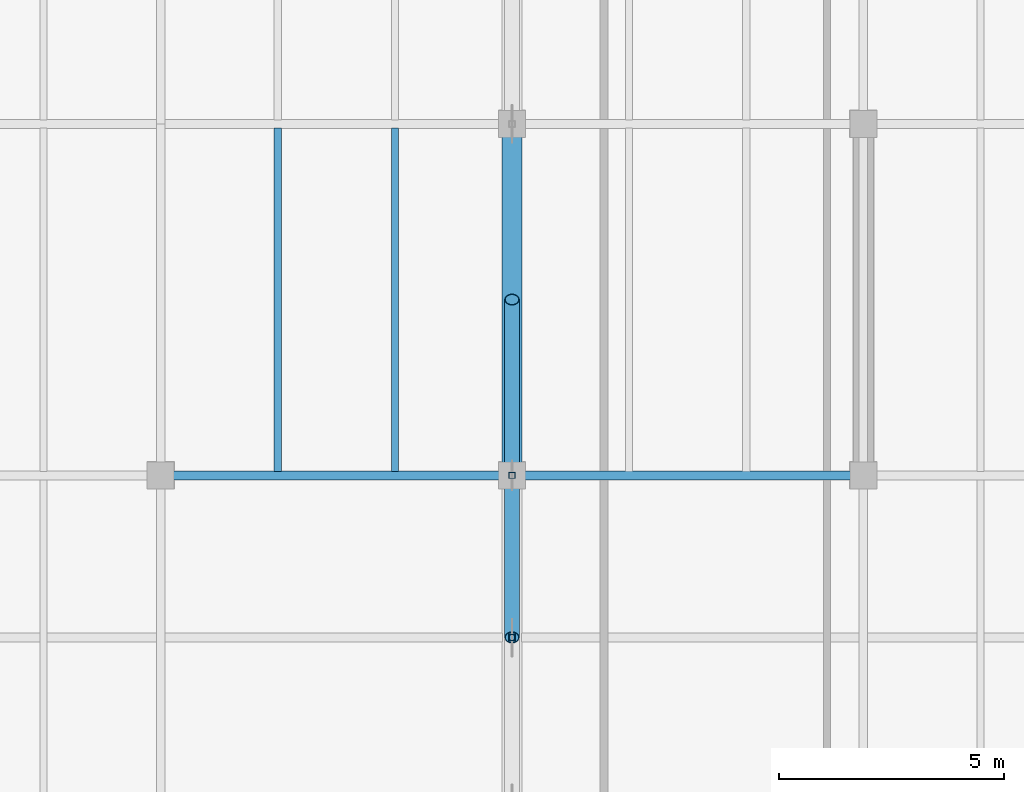
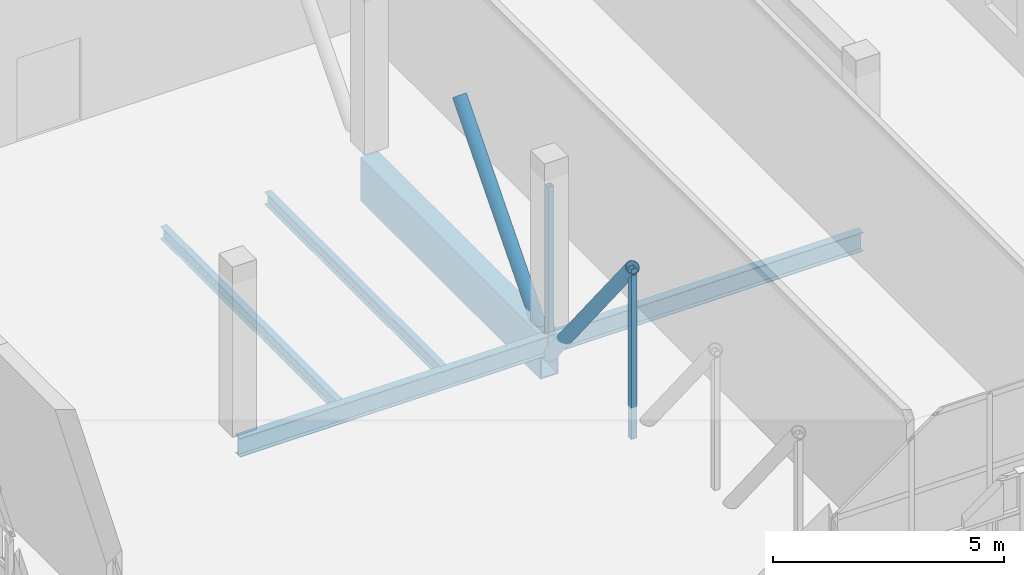
# One storey, part 39 of 119: 5 beams, 4 members.
"""IFC4 building model written with IfcOpenShell, lengths in metres."""

from ifc_helpers import new_model, si_unit, direction, frame, origin, origin_2d, place, context, subcontext, project, spatial, hollow_rectangle, hollow_circle, i_section, extrude, material, material_profile, profile_set, type_object, element, save


model = new_model("IFC4")

# Units and contexts
model_context = context("Model", 3, precision=1e-05, world=origin(), true_north=direction((0.0, 1.0)))
body_context = subcontext(model_context, "Body", "Model", "MODEL_VIEW")
ifc_project = project(units=[si_unit("LENGTHUNIT", "METRE"), si_unit("AREAUNIT", "SQUARE_METRE"), si_unit("VOLUMEUNIT", "CUBIC_METRE"), si_unit("PLANEANGLEUNIT", "RADIAN"), si_unit("MASSUNIT", "GRAM", prefix="KILO")], contexts=[model_context])

# Site, building, storey
site_placement = place(None, origin())
site = spatial("IfcSite", under=ifc_project, at=site_placement, CompositionType="ELEMENT")
building_placement = place(site_placement, origin())
building = spatial("IfcBuilding", under=site, at=building_placement, Name="Celorna Specialist Clinic", CompositionType="ELEMENT")
storey_placement = place(building_placement, frame((0.0, 0.0, 9.60009765625)))
storey = spatial("IfcBuildingStorey", under=building, at=storey_placement, Name="L02", CompositionType="ELEMENT", Elevation=9.60009765625)

# Beams
ifc_material = material(Name="Steel S355", Category="steel")
ifc_material_profile_1 = material_profile(ifc_material, hollow_rectangle(XDim=0.449951171875, YDim=1.14990234375, WallThickness=0.031982421875, at=origin_2d()), Name="BOX 450x1150x32")
ifc_profile_set_1 = profile_set([ifc_material_profile_1], Name="Steel S355")
beam_type_1 = type_object("IfcBeamType", Name="BM-01", PredefinedType="BEAM", material=ifc_profile_set_1)
beam_placement = place(storey_placement, frame((70.199951171875, 19.5, -0.835205078125), z_axis=(0.0, 1.0, 0.0), x_axis=(-1.0, 0.0, 0.0)))
element("IfcBeam", 1, at=beam_placement, inside=storey, type_object=beam_type_1, Name="Cantilever Pratt truss chord WP-035-WP-036", PredefinedType="BEAM", context=body_context, shape_type="SweptSolid", body=[
    extrude(hollow_rectangle(XDim=0.449951171875, YDim=1.14990234375, WallThickness=0.031982421875, at=origin_2d()), origin(), (0.0, 0.0, 1.0), 7.800048828125),
])
ifc_material_profile_2 = material_profile(ifc_material, i_section(OverallWidth=0.199951171875, OverallDepth=0.5, WebThickness=0.01025390625, FlangeThickness=0.01611328125, at=origin_2d()), Name="IPE 500")
ifc_profile_set_2 = profile_set([ifc_material_profile_2], Name="Steel S355")
beam_type_2 = type_object("IfcBeamType", Name="BM-08", PredefinedType="BEAM", material=ifc_profile_set_2)
for number, where, z_axis, x_axis, name in (
    (2, (62.39990234375, 19.5, -0.510009765625), (1.0, 0.0, 0.0), (0.0, 1.0, 0.0), "Primary girder BM-08 #2110"),
    (3, (70.199951171875, 19.5, -0.510009765625), (1.0, 0.0, 0.0), (0.0, 1.0, 0.0), "Primary girder BM-08 #2111"),
):
    element("IfcBeam", number, at=place(storey_placement, frame(where, z_axis=z_axis, x_axis=x_axis)), inside=storey, type_object=beam_type_2, Name=name, PredefinedType="BEAM", context=body_context, shape_type="SweptSolid", body=[
        extrude(i_section(OverallWidth=0.199951171875, OverallDepth=0.5, WebThickness=0.01025390625, FlangeThickness=0.01611328125, at=origin_2d()), origin(), (0.0, 0.0, 1.0), 7.800048828125),
    ])
ifc_material_profile_3 = material_profile(ifc_material, i_section(OverallWidth=0.159912109375, OverallDepth=0.330078125, WebThickness=0.007568359375, FlangeThickness=0.011474609375, at=origin_2d()), Name="IPE 330")
ifc_profile_set_3 = profile_set([ifc_material_profile_3], Name="Steel S355")
beam_type_3 = type_object("IfcBeamType", Name="BM-12", PredefinedType="JOIST", material=ifc_profile_set_3)
for number, where, z_axis, x_axis, name in (
    (4, (65.0, 19.587890625, -0.425048828125), (0.0, 1.0, 0.0), (-1.0, 0.0, 0.0), "Secondary floor joist BM-12 #2141"),
    (5, (67.60009765625, 19.587890625, -0.425048828125), (0.0, 1.0, 0.0), (-1.0, 0.0, 0.0), "Secondary floor joist BM-12 #2142"),
):
    element("IfcBeam", number, at=place(storey_placement, frame(where, z_axis=z_axis, x_axis=x_axis)), inside=storey, type_object=beam_type_3, Name=name, PredefinedType="JOIST", context=body_context, shape_type="SweptSolid", body=[
        extrude(i_section(OverallWidth=0.159912109375, OverallDepth=0.330078125, WebThickness=0.007568359375, FlangeThickness=0.011474609375, at=origin_2d()), origin(), (0.0, 0.0, 1.0), 7.6240234375),
    ])

# Members
ifc_material_profile_4 = material_profile(ifc_material, hollow_circle(Radius=0.161865234375, WallThickness=0.01611328125, at=origin_2d()), Name="CHS 323.9x16")
ifc_profile_set_4 = profile_set([ifc_material_profile_4], Name="Steel S355")
member_type_1 = type_object("IfcMemberType", Name="MB-05", PredefinedType="BRACE", material=ifc_profile_set_4)
member_1_placement = place(storey_placement, frame((70.199951171875, 15.89990234375, 3.664794921875), z_axis=(0.0, 0.624705380279, -0.780860543151), x_axis=(-1.0, 0.0, 0.0)))
element("IfcMember", 6, at=member_1_placement, inside=storey, type_object=member_type_1, Name="Cantilever Pratt truss web diagonal WP-054-WP-035", PredefinedType="BRACE", context=body_context, shape_type="SweptSolid", body=[
    extrude(hollow_circle(Radius=0.161865234375, WallThickness=0.01611328125, at=origin_2d()), origin(), (0.0, 0.0, 1.0), 5.762939453125),
])
member_2_placement = place(storey_placement, frame((70.199951171875, 19.5, -0.835205078125), z_axis=(0.0, 0.654921173069, 0.755697199324), x_axis=(-1.0, 0.0, 0.0)))
element("IfcMember", 7, at=member_2_placement, inside=storey, type_object=member_type_1, Name="Cantilever Pratt truss web diagonal WP-035-WP-055", PredefinedType="BRACE", context=body_context, shape_type="SweptSolid", body=[
    extrude(hollow_circle(Radius=0.161865234375, WallThickness=0.01611328125, at=origin_2d()), origin(), (0.0, 0.0, 1.0), 5.954833984375),
])
ifc_material_profile_5 = material_profile(ifc_material, hollow_rectangle(XDim=0.139892578125, YDim=0.139892578125, WallThickness=0.008056640625, at=origin_2d()), Name="SHS 140x140x8")
ifc_profile_set_5 = profile_set([ifc_material_profile_5], Name="Steel S355")
member_type_2 = type_object("IfcMemberType", Name="MB-10", PredefinedType="CHORD", material=ifc_profile_set_5)
for number, where, z_axis, x_axis, name in (
    (8, (70.199951171875, 15.89990234375, -0.835205078125), (0.0, 0.0, 1.0), (1.0, 0.0, 0.0), "Cantilever Pratt truss vertical post WP-053-WP-054"),
    (9, (70.199951171875, 19.5, -0.835205078125), (0.0, 0.0, 1.0), (1.0, 0.0, 0.0), "Cantilever Pratt truss vertical post WP-035-WP-040"),
):
    element("IfcMember", number, at=place(storey_placement, frame(where, z_axis=z_axis, x_axis=x_axis)), inside=storey, type_object=member_type_2, Name=name, PredefinedType="CHORD", context=body_context, shape_type="SweptSolid", body=[
        extrude(hollow_rectangle(XDim=0.139892578125, YDim=0.139892578125, WallThickness=0.008056640625, at=origin_2d()), origin(), (0.0, 0.0, 1.0), 4.5),
    ])

save(model, "model.ifc")
